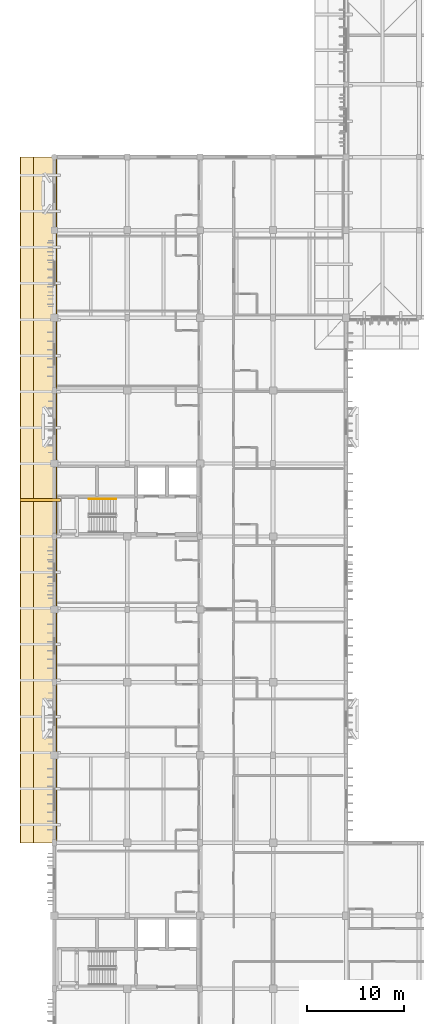
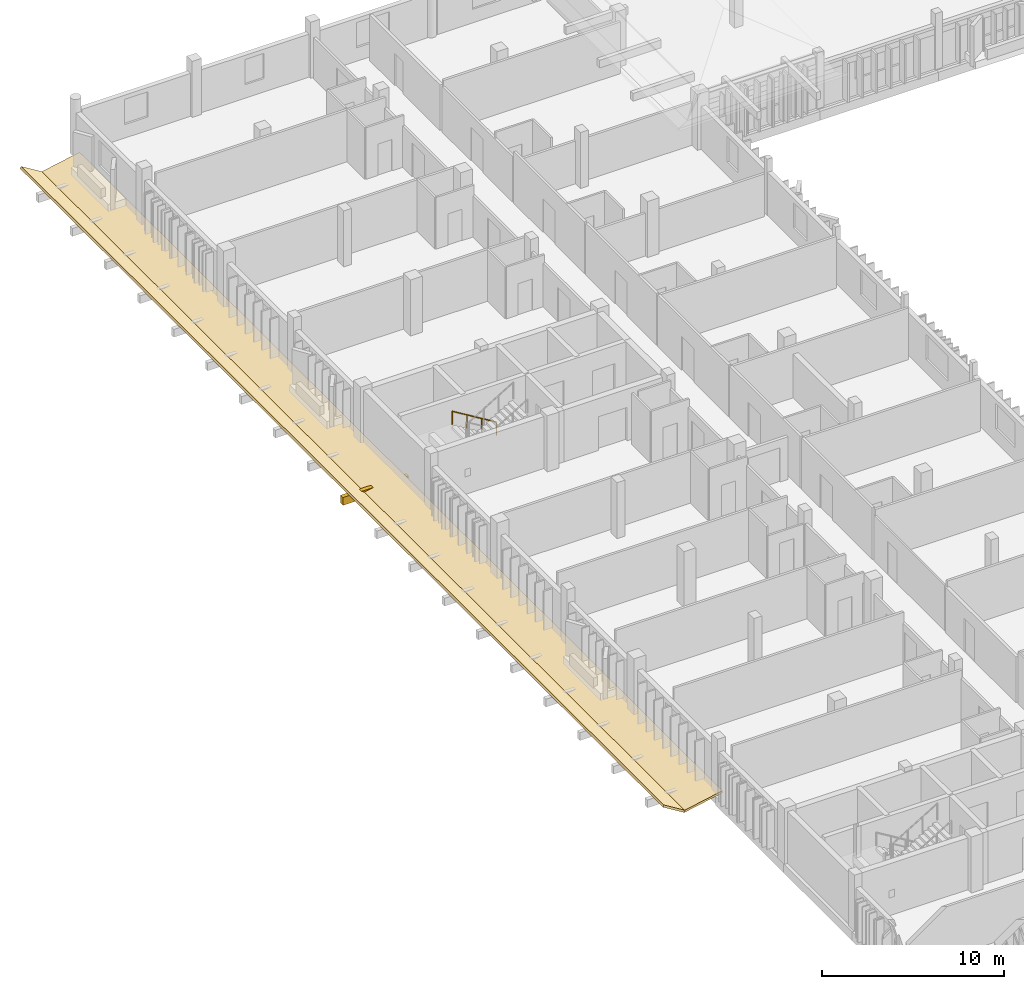
# One storey, part 31 of 43: 3 coverings, 1 railing.
"""IFC4 building model written with IfcOpenShell, lengths in metres."""

from ifc_helpers import new_model, si_unit, direction, frame, origin, origin_2d, place, context, subcontext, project, spatial, polyline, rectangle, circle, outline, extrude, material, layer, layer_set, type_object, element, save


model = new_model("IFC4")

# Units and contexts
model_context = context("Model", 3, precision=1e-05, world=origin(), true_north=direction((0.0, 1.0)))
body_context = subcontext(model_context, "Body", "Model", "MODEL_VIEW")
ifc_project = project(units=[si_unit("LENGTHUNIT", "METRE"), si_unit("AREAUNIT", "SQUARE_METRE"), si_unit("VOLUMEUNIT", "CUBIC_METRE"), si_unit("PLANEANGLEUNIT", "RADIAN"), si_unit("MASSUNIT", "GRAM", prefix="KILO")], contexts=[model_context])

# Site, building, storey
site_placement = place(None, origin())
site = spatial("IfcSite", under=ifc_project, at=site_placement, CompositionType="ELEMENT")
building_placement = place(site_placement, origin())
building = spatial("IfcBuilding", under=site, at=building_placement, Name="Dalvernix Boulevard General Hospital", CompositionType="ELEMENT")
storey_placement = place(building_placement, frame((0.0, 0.0, 14.10009765625)))
storey = spatial("IfcBuildingStorey", under=building, at=storey_placement, Name="L03", CompositionType="ELEMENT", Elevation=14.10009765625)

# Coverings
ifc_material_1 = material(Name="Glazed Catalan terracotta and iroko timber overhanging upturned eave", Category="masonry")
ifc_layer_1 = layer(ifc_material_1, 0.139892578125)
ifc_layer_set_1 = layer_set([ifc_layer_1], Name="Glazed Catalan terracotta and iroko timber overhanging upturned eave (COV-EAVE-01)")
covering_type_1 = type_object("IfcCoveringType", Name="COV-EAVE-01", PredefinedType="CLADDING", material=ifc_layer_set_1)
covering_1_placement = place(storey_placement, frame((0.25, 93.0, -0.06005859375), z_axis=(-0.192259352231, 0.0, 0.981344150377), x_axis=(0.0, -1.0, 0.0)))
element("IfcCovering", 1, at=covering_1_placement, inside=storey, type_object=covering_type_1, Name="TIER-V4-WEST overhanging ceramic eave skirt W", PredefinedType="CLADDING", context=body_context, shape_type="SweptSolid", body=[
    extrude(outline(polyline([(0.0, 0.0), (70.5, 0.0), (70.5, -2.4965259852349133), (0.0, -2.4965259852349133), (0.0, 0.0)])), origin(), (0.0, 0.0, -1.0), 0.139892578125),
])
covering_2_placement = place(storey_placement, frame((-2.1201171875, 93.0, -0.5400390625), z_axis=(0.524777364287, 0.0, 0.851239518544), x_axis=(0.0, -1.0, 0.0)))
element("IfcCovering", 2, at=covering_2_placement, inside=storey, type_object=covering_type_1, Name="TIER-V4-WEST upturned ceramic eave wing W", PredefinedType="CLADDING", context=body_context, shape_type="SweptSolid", body=[
    extrude(outline(polyline([(0.0, 0.0), (70.5, 0.0), (70.5, -1.5622324332978543), (0.0, -1.5622324332978543), (0.0, 0.0)])), origin(), (0.0, 0.0, -1.0), 0.139892578125),
])
ifc_material_2 = material(Name="Preservative-treated glulam GL28h eave outlooker corbel bracket", Category="wood")
ifc_layer_2 = layer(ifc_material_2, 0.239990234375)
ifc_layer_set_2 = layer_set([ifc_layer_2], Name="Preservative-treated glulam GL28h eave outlooker corbel bracket (COV-OUTLOOK-01)")
covering_type_2 = type_object("IfcCoveringType", Name="COV-OUTLOOK-01", PredefinedType="CLADDING", material=ifc_layer_set_2)
covering_3_placement = place(storey_placement, frame((-1.425048828125, 57.75, -0.940185546875), z_axis=(0.0, 0.0, 1.0), x_axis=(1.0, 0.0, 0.0)))
element("IfcCovering", 3, at=covering_3_placement, inside=storey, type_object=covering_type_2, Name="TIER-V4-WEST glulam eave outlooker corbel W-10", PredefinedType="CLADDING", context=body_context, shape_type="SweptSolid", body=[
    extrude(rectangle(XDim=4.14990234375, YDim=0.260009765625, at=origin_2d()), origin(), (0.0, 0.0, 1.0), 0.52001953125),
])

# Railing
ifc_material_3 = material(Name="Brushed stainless steel wall handrail", Category="steel")
railing_type = type_object("IfcRailingType", Name="RL-HR-INT1", PredefinedType="HANDRAIL", material=ifc_material_3)
railing_placement = place(storey_placement, frame((6.35009765625, 57.85009765625, 0.17041015625)))
element("IfcRailing", 4, at=railing_placement, inside=storey, type_object=railing_type, Name="L03 ST-02 stair handrail 1", PredefinedType="HANDRAIL", context=body_context, shape_type="SweptSolid", body=[
    extrude(circle(Radius=0.02392578125, at=origin_2d()), frame((0.0, 0.0, 0.8759765625), z_axis=(-0.854169791009, 0.0, 0.51999420009), x_axis=(0.0, -1.0, 0.0)), (0.0, 0.0, 1.0), 3.278076171875),
    extrude(circle(Radius=0.02099609375, at=origin_2d()), origin(), (0.0, 0.0, 1.0), 0.851806640625),
    extrude(circle(Radius=0.02099609375, at=origin_2d()), frame((-0.933349609375, 0.0, 0.568115234375)), (0.0, 0.0, 1.0), 0.851806640625),
    extrude(circle(Radius=0.02099609375, at=origin_2d()), frame((-1.86669921875, 0.0, 1.136474609375)), (0.0, 0.0, 1.0), 0.851806640625),
    extrude(circle(Radius=0.02099609375, at=origin_2d()), frame((-2.800048828125, 0.0, 1.70458984375)), (0.0, 0.0, 1.0), 0.851806640625),
])

save(model, "model.ifc")
